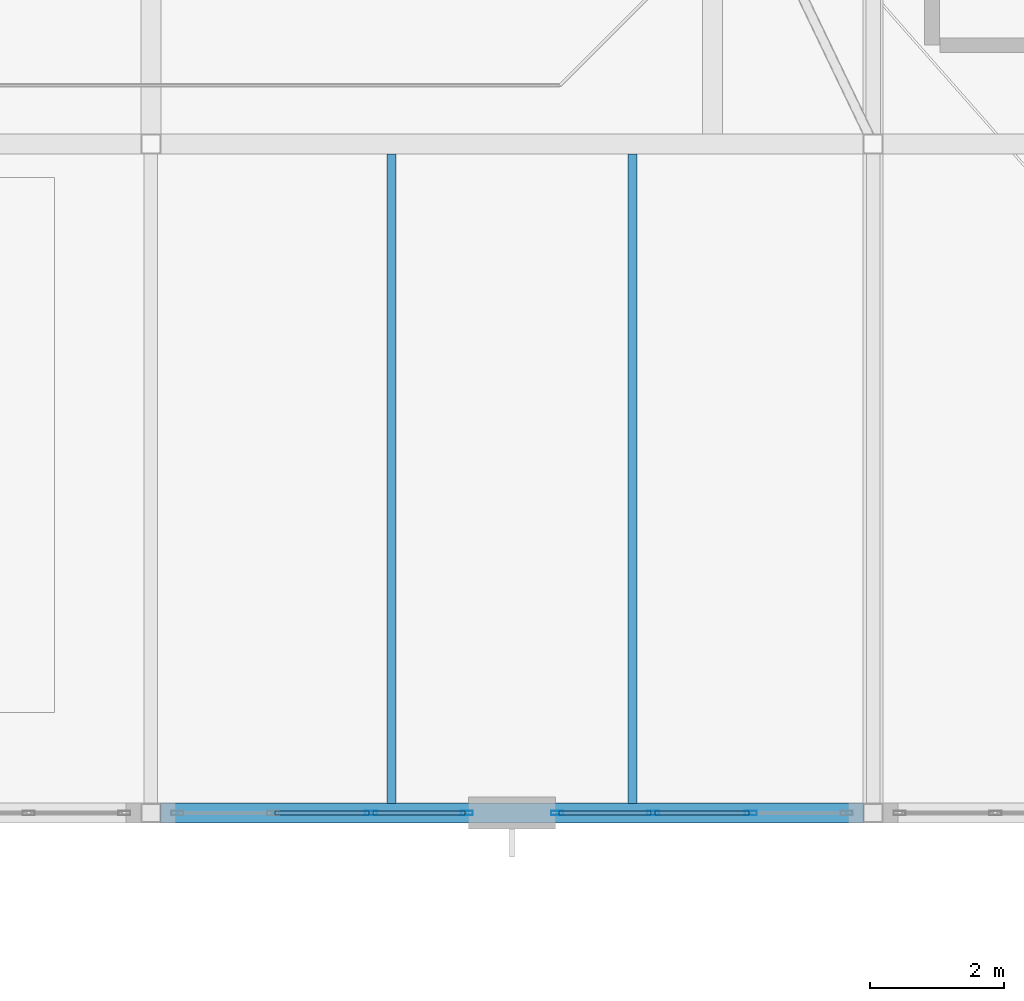
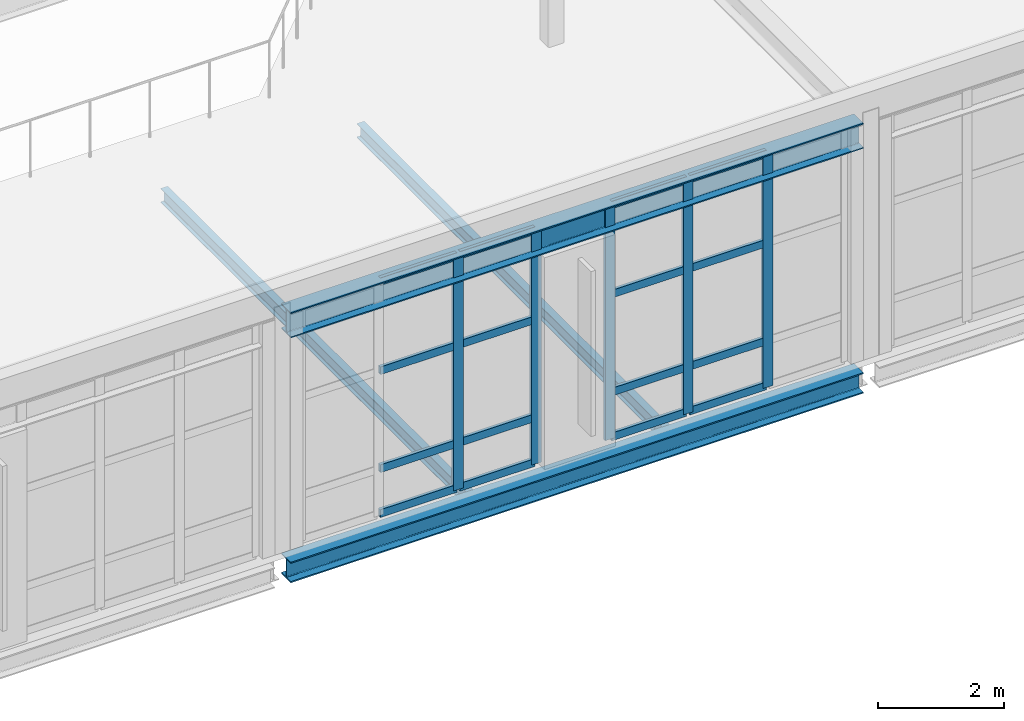
# One storey, part 27 of 86: 21 members, 4 beams, 2 elements without a shape of their own.
"""IFC4 building model written with IfcOpenShell, lengths in metres."""

from ifc_helpers import new_model, si_unit, direction, frame, origin, origin_2d, place, context, subcontext, project, spatial, hollow_rectangle, i_section, extrude, material, layer, layer_set, material_profile, profile_set, type_object, element, aggregate, save


model = new_model("IFC4")

# Units and contexts
model_context = context("Model", 3, precision=1e-05, world=origin(), true_north=direction((0.0, 1.0)))
body_context = subcontext(model_context, "Body", "Model", "MODEL_VIEW")
ifc_project = project(units=[si_unit("LENGTHUNIT", "METRE"), si_unit("AREAUNIT", "SQUARE_METRE"), si_unit("VOLUMEUNIT", "CUBIC_METRE"), si_unit("PLANEANGLEUNIT", "RADIAN"), si_unit("MASSUNIT", "GRAM", prefix="KILO")], contexts=[model_context])

# Site, building, storey
site_placement = place(None, origin())
site = spatial("IfcSite", under=ifc_project, at=site_placement, CompositionType="ELEMENT")
building_placement = place(site_placement, origin())
building = spatial("IfcBuilding", under=site, at=building_placement, Name="Tasgan Crest Museum", CompositionType="ELEMENT")
storey_placement = place(building_placement, frame((0.0, 0.0, 24.0)))
storey = spatial("IfcBuildingStorey", under=building, at=storey_placement, Name="L04", CompositionType="ELEMENT", Elevation=24.0)

# Beams
ifc_material_1 = material(Name="Steel S355J2", Category="steel")
ifc_material_profile_1 = material_profile(ifc_material_1, i_section(OverallWidth=0.300048828125, OverallDepth=0.489990234375, WebThickness=0.011962890625, FlangeThickness=0.02294921875, FilletRadius=0.027099609375, at=origin_2d()), Name="HEA 500")
ifc_profile_set_1 = profile_set([ifc_material_profile_1], Name="Steel S355J2")
beam_type_1 = type_object("IfcBeamType", Name="BM-G-HEA500", PredefinedType="BEAM", material=ifc_profile_set_1)
beam_1_placement = place(storey_placement, frame((86.5458984375, 40.0, 4.35498046875), z_axis=(1.0, 0.0, 0.0), x_axis=(0.0, 1.0, 0.0)))
element("IfcBeam", 1, at=beam_1_placement, inside=storey, type_object=beam_type_1, Name="Winter-garden roof girder E 86.4-97.2", PredefinedType="BEAM", context=body_context, shape_type="SweptSolid", body=[
    extrude(i_section(OverallWidth=0.300048828125, OverallDepth=0.489990234375, WebThickness=0.011962890625, FlangeThickness=0.02294921875, FilletRadius=0.027099609375, at=origin_2d()), origin(), (0.0, 0.0, 1.0), 10.508056640625),
])
ifc_material_2 = material(Name="Steel S355J2", Category="steel")
ifc_material_profile_2 = material_profile(ifc_material_2, i_section(OverallWidth=0.300048828125, OverallDepth=0.39990234375, WebThickness=0.013427734375, FlangeThickness=0.02392578125, FilletRadius=0.027099609375, at=origin_2d()), Name="HEB 400")
ifc_profile_set_2 = profile_set([ifc_material_profile_2], Name="Steel S355J2")
beam_type_2 = type_object("IfcBeamType", Name="BM-G-HEB400", PredefinedType="BEAM", material=ifc_profile_set_2)
beam_2_placement = place(storey_placement, frame((86.5458984375, 40.0, -0.43994140625), z_axis=(1.0, 0.0, 0.0), x_axis=(0.0, 1.0, 0.0)))
element("IfcBeam", 2, at=beam_2_placement, inside=storey, type_object=beam_type_2, Name="Girder L04 E 86.4-97.2", PredefinedType="BEAM", context=body_context, shape_type="SweptSolid", body=[
    extrude(i_section(OverallWidth=0.300048828125, OverallDepth=0.39990234375, WebThickness=0.013427734375, FlangeThickness=0.02392578125, FilletRadius=0.027099609375, at=origin_2d()), origin(), (0.0, 0.0, 1.0), 10.508056640625),
])
ifc_material_3 = material(Name="Steel S355J2", Category="steel")
ifc_material_profile_3 = material_profile(ifc_material_3, i_section(OverallWidth=0.135009765625, OverallDepth=0.27001953125, WebThickness=0.006591796875, FlangeThickness=0.01025390625, FilletRadius=0.014892578125, at=origin_2d()), Name="IPE 270")
ifc_profile_set_3 = profile_set([ifc_material_profile_3], Name="Steel S355J2")
beam_type_3 = type_object("IfcBeamType", Name="BM-J-IPE270", PredefinedType="JOIST", material=ifc_profile_set_3)
for number, where, z_axis, x_axis, name in (
    (3, (90.0, 40.14501953125, -0.375), (0.0, 1.0, 0.0), (-1.0, 0.0, 0.0), "Secondary joist L04 X=90.0 Y=40.0-50.0"),
    (4, (93.60009765625, 40.14501953125, -0.375), (0.0, 1.0, 0.0), (-1.0, 0.0, 0.0), "Secondary joist L04 X=93.6 Y=40.0-50.0"),
):
    element("IfcBeam", number, at=place(storey_placement, frame(where, z_axis=z_axis, x_axis=x_axis)), inside=storey, type_object=beam_type_3, Name=name, PredefinedType="JOIST", context=body_context, shape_type="SweptSolid", body=[
        extrude(i_section(OverallWidth=0.135009765625, OverallDepth=0.27001953125, WebThickness=0.006591796875, FlangeThickness=0.01025390625, FilletRadius=0.014892578125, at=origin_2d()), origin(), (0.0, 0.0, 1.0), 9.7099609375),
    ])

# Curtain wall, members
ifc_material_4 = material(Name="Triple-Glazed Aluminium Curtain Wall", Category="aluminium")
ifc_layer = layer(ifc_material_4, 0.179931640625, Name="CW-DRUM-X-48")
ifc_layer_set = layer_set([ifc_layer], Name="Triple-Glazed Aluminium Curtain Wall")
curtain_wall_type = type_object("IfcCurtainWallType", Name="CW-DRUM-X-48", PredefinedType="NOTDEFINED", material=ifc_layer_set)
curtain_wall_1_placement = place(storey_placement, origin())
curtain_wall_1 = element("IfcCurtainWall", 5, at=curtain_wall_1_placement, inside=storey, type_object=curtain_wall_type, Name="Curtain wall L04 191", PredefinedType="NOTDEFINED")
ifc_material_5 = material(Name="Anodised Aluminium", Category="aluminium")
ifc_material_profile_4 = material_profile(ifc_material_5, hollow_rectangle(XDim=0.06494140625, YDim=0.179931640625, WallThickness=0.0048828125, at=origin_2d()), Name="ALU MULLION 180x65x5")
ifc_profile_set_4 = profile_set([ifc_material_profile_4], Name="Anodised Aluminium")
member_type_1 = type_object("IfcMemberType", Name="CW-MULLION-180", PredefinedType="MULLION", material=ifc_profile_set_4)
member_1_placement = place(storey_placement, frame((89.691650390625, 40.0, 0.0), z_axis=(0.0, 0.0, 1.0), x_axis=(0.0, 1.0, 0.0)))
member_1 = element("IfcMember", 6, at=member_1_placement, type_object=member_type_1, Name="CW03 mullion 3", PredefinedType="MULLION", context=body_context, shape_type="SweptSolid", body=[
    extrude(hollow_rectangle(XDim=0.06494140625, YDim=0.179931640625, WallThickness=0.0048828125, at=origin_2d()), origin(), (0.0, 0.0, 1.0), 4.56005859375),
])
member_2_placement = place(storey_placement, frame((91.125, 40.0, 0.0), z_axis=(0.0, 0.0, 1.0), x_axis=(0.0, 1.0, 0.0)))
member_2 = element("IfcMember", 7, at=member_2_placement, type_object=member_type_1, Name="CW03 mullion 4", PredefinedType="MULLION", context=body_context, shape_type="SweptSolid", body=[
    extrude(hollow_rectangle(XDim=0.06494140625, YDim=0.179931640625, WallThickness=0.0048828125, at=origin_2d()), origin(), (0.0, 0.0, 1.0), 4.56005859375),
])

curtain_wall_2_placement = place(storey_placement, origin())
curtain_wall_2 = element("IfcCurtainWall", 8, at=curtain_wall_2_placement, inside=storey, type_object=curtain_wall_type, Name="Curtain wall L04 192", PredefinedType="NOTDEFINED")
member_3_placement = place(storey_placement, frame((92.47509765625, 40.0, 0.0), z_axis=(0.0, 0.0, 1.0), x_axis=(0.0, 1.0, 0.0)))
member_3 = element("IfcMember", 9, at=member_3_placement, type_object=member_type_1, Name="CW03 mullion 1", PredefinedType="MULLION", context=body_context, shape_type="SweptSolid", body=[
    extrude(hollow_rectangle(XDim=0.06494140625, YDim=0.179931640625, WallThickness=0.0048828125, at=origin_2d()), origin(), (0.0, 0.0, 1.0), 4.56005859375),
])
member_4_placement = place(storey_placement, frame((93.908447265625, 40.0, 0.0), z_axis=(0.0, 0.0, 1.0), x_axis=(0.0, 1.0, 0.0)))
member_4 = element("IfcMember", 10, at=member_4_placement, type_object=member_type_1, Name="CW03 mullion 2", PredefinedType="MULLION", context=body_context, shape_type="SweptSolid", body=[
    extrude(hollow_rectangle(XDim=0.06494140625, YDim=0.179931640625, WallThickness=0.0048828125, at=origin_2d()), origin(), (0.0, 0.0, 1.0), 4.56005859375),
])
member_5_placement = place(storey_placement, frame((95.37158203125, 40.0, 0.0), z_axis=(0.0, 0.0, 1.0), x_axis=(0.0, 1.0, 0.0)))
member_5 = element("IfcMember", 11, at=member_5_placement, type_object=member_type_1, Name="CW03 mullion 3", PredefinedType="MULLION", context=body_context, shape_type="SweptSolid", body=[
    extrude(hollow_rectangle(XDim=0.06494140625, YDim=0.179931640625, WallThickness=0.0048828125, at=origin_2d()), origin(), (0.0, 0.0, 1.0), 4.56005859375),
])

# Member
ifc_material_6 = material(Name="Anodised Aluminium", Category="aluminium")
ifc_material_profile_5 = material_profile(ifc_material_6, hollow_rectangle(XDim=0.06005859375, YDim=0.14990234375, WallThickness=0.0048828125, at=origin_2d()), Name="ALU TRANSOM 150x60x5")
ifc_profile_set_5 = profile_set([ifc_material_profile_5], Name="Anodised Aluminium")
member_type_2 = type_object("IfcMemberType", Name="CW-TRANSOM-150", PredefinedType="USERDEFINED", material=ifc_profile_set_5)
member_6_placement = place(storey_placement, frame((88.25830078125, 40.0, 0.030029296875), z_axis=(1.0, 0.0, 0.0), x_axis=(0.0, 1.0, 0.0)))
member_6 = element("IfcMember", 12, at=member_6_placement, type_object=member_type_2, Name="CW03 transom 2.1", ObjectType="TRANSOM", PredefinedType="USERDEFINED", context=body_context, shape_type="SweptSolid", body=[
    extrude(hollow_rectangle(XDim=0.06005859375, YDim=0.14990234375, WallThickness=0.0048828125, at=origin_2d()), origin(), (0.0, 0.0, 1.0), 1.4033203125),
])

member_7_placement = place(storey_placement, frame((88.25830078125, 40.0, 0.89990234375), z_axis=(1.0, 0.0, 0.0), x_axis=(0.0, 1.0, 0.0)))
member_7 = element("IfcMember", 13, at=member_7_placement, type_object=member_type_2, Name="CW03 transom 2.2", ObjectType="TRANSOM", PredefinedType="USERDEFINED", context=body_context, shape_type="SweptSolid", body=[
    extrude(hollow_rectangle(XDim=0.06005859375, YDim=0.14990234375, WallThickness=0.0048828125, at=origin_2d()), origin(), (0.0, 0.0, 1.0), 1.4033203125),
])

member_8_placement = place(storey_placement, frame((88.25830078125, 40.0, 2.800048828125), z_axis=(1.0, 0.0, 0.0), x_axis=(0.0, 1.0, 0.0)))
member_8 = element("IfcMember", 14, at=member_8_placement, type_object=member_type_2, Name="CW03 transom 2.3", ObjectType="TRANSOM", PredefinedType="USERDEFINED", context=body_context, shape_type="SweptSolid", body=[
    extrude(hollow_rectangle(XDim=0.06005859375, YDim=0.14990234375, WallThickness=0.0048828125, at=origin_2d()), origin(), (0.0, 0.0, 1.0), 1.4033203125),
])

member_9_placement = place(storey_placement, frame((88.25830078125, 40.0, 4.530029296875), z_axis=(1.0, 0.0, 0.0), x_axis=(0.0, 1.0, 0.0)))
member_9 = element("IfcMember", 15, at=member_9_placement, type_object=member_type_2, Name="CW03 transom 2.4", ObjectType="TRANSOM", PredefinedType="USERDEFINED", context=body_context, shape_type="SweptSolid", body=[
    extrude(hollow_rectangle(XDim=0.06005859375, YDim=0.14990234375, WallThickness=0.0048828125, at=origin_2d()), origin(), (0.0, 0.0, 1.0), 1.4033203125),
])

member_10_placement = place(storey_placement, frame((89.7216796875, 40.0, 0.030029296875), z_axis=(1.0, 0.0, 0.0), x_axis=(0.0, 1.0, 0.0)))
member_10 = element("IfcMember", 16, at=member_10_placement, type_object=member_type_2, Name="CW03 transom 3.1", ObjectType="TRANSOM", PredefinedType="USERDEFINED", context=body_context, shape_type="SweptSolid", body=[
    extrude(hollow_rectangle(XDim=0.06005859375, YDim=0.14990234375, WallThickness=0.0048828125, at=origin_2d()), origin(), (0.0, 0.0, 1.0), 1.373291015625),
])

member_11_placement = place(storey_placement, frame((89.7216796875, 40.0, 0.89990234375), z_axis=(1.0, 0.0, 0.0), x_axis=(0.0, 1.0, 0.0)))
member_11 = element("IfcMember", 17, at=member_11_placement, type_object=member_type_2, Name="CW03 transom 3.2", ObjectType="TRANSOM", PredefinedType="USERDEFINED", context=body_context, shape_type="SweptSolid", body=[
    extrude(hollow_rectangle(XDim=0.06005859375, YDim=0.14990234375, WallThickness=0.0048828125, at=origin_2d()), origin(), (0.0, 0.0, 1.0), 1.373291015625),
])

member_12_placement = place(storey_placement, frame((89.7216796875, 40.0, 2.800048828125), z_axis=(1.0, 0.0, 0.0), x_axis=(0.0, 1.0, 0.0)))
member_12 = element("IfcMember", 18, at=member_12_placement, type_object=member_type_2, Name="CW03 transom 3.3", ObjectType="TRANSOM", PredefinedType="USERDEFINED", context=body_context, shape_type="SweptSolid", body=[
    extrude(hollow_rectangle(XDim=0.06005859375, YDim=0.14990234375, WallThickness=0.0048828125, at=origin_2d()), origin(), (0.0, 0.0, 1.0), 1.373291015625),
])

member_13_placement = place(storey_placement, frame((89.7216796875, 40.0, 4.530029296875), z_axis=(1.0, 0.0, 0.0), x_axis=(0.0, 1.0, 0.0)))
member_13 = element("IfcMember", 19, at=member_13_placement, type_object=member_type_2, Name="CW03 transom 3.4", ObjectType="TRANSOM", PredefinedType="USERDEFINED", context=body_context, shape_type="SweptSolid", body=[
    extrude(hollow_rectangle(XDim=0.06005859375, YDim=0.14990234375, WallThickness=0.0048828125, at=origin_2d()), origin(), (0.0, 0.0, 1.0), 1.373291015625),
])

aggregate(curtain_wall_1, [member_1, member_2, member_6, member_7, member_8, member_9, member_10, member_11, member_12, member_13])

member_14_placement = place(storey_placement, frame((92.5048828125, 40.0, 0.030029296875), z_axis=(1.0, 0.0, 0.0), x_axis=(0.0, 1.0, 0.0)))
member_14 = element("IfcMember", 20, at=member_14_placement, type_object=member_type_2, Name="CW03 transom 1.1", ObjectType="TRANSOM", PredefinedType="USERDEFINED", context=body_context, shape_type="SweptSolid", body=[
    extrude(hollow_rectangle(XDim=0.06005859375, YDim=0.14990234375, WallThickness=0.0048828125, at=origin_2d()), origin(), (0.0, 0.0, 1.0), 1.37353515625),
])

member_15_placement = place(storey_placement, frame((92.5048828125, 40.0, 0.89990234375), z_axis=(1.0, 0.0, 0.0), x_axis=(0.0, 1.0, 0.0)))
member_15 = element("IfcMember", 21, at=member_15_placement, type_object=member_type_2, Name="CW03 transom 1.2", ObjectType="TRANSOM", PredefinedType="USERDEFINED", context=body_context, shape_type="SweptSolid", body=[
    extrude(hollow_rectangle(XDim=0.06005859375, YDim=0.14990234375, WallThickness=0.0048828125, at=origin_2d()), origin(), (0.0, 0.0, 1.0), 1.37353515625),
])

member_16_placement = place(storey_placement, frame((92.5048828125, 40.0, 2.800048828125), z_axis=(1.0, 0.0, 0.0), x_axis=(0.0, 1.0, 0.0)))
member_16 = element("IfcMember", 22, at=member_16_placement, type_object=member_type_2, Name="CW03 transom 1.3", ObjectType="TRANSOM", PredefinedType="USERDEFINED", context=body_context, shape_type="SweptSolid", body=[
    extrude(hollow_rectangle(XDim=0.06005859375, YDim=0.14990234375, WallThickness=0.0048828125, at=origin_2d()), origin(), (0.0, 0.0, 1.0), 1.37353515625),
])

member_17_placement = place(storey_placement, frame((92.5048828125, 40.0, 4.530029296875), z_axis=(1.0, 0.0, 0.0), x_axis=(0.0, 1.0, 0.0)))
member_17 = element("IfcMember", 23, at=member_17_placement, type_object=member_type_2, Name="CW03 transom 1.4", ObjectType="TRANSOM", PredefinedType="USERDEFINED", context=body_context, shape_type="SweptSolid", body=[
    extrude(hollow_rectangle(XDim=0.06005859375, YDim=0.14990234375, WallThickness=0.0048828125, at=origin_2d()), origin(), (0.0, 0.0, 1.0), 1.37353515625),
])

member_18_placement = place(storey_placement, frame((93.938232421875, 40.0, 0.030029296875), z_axis=(1.0, 0.0, 0.0), x_axis=(0.0, 1.0, 0.0)))
member_18 = element("IfcMember", 24, at=member_18_placement, type_object=member_type_2, Name="CW03 transom 2.1", ObjectType="TRANSOM", PredefinedType="USERDEFINED", context=body_context, shape_type="SweptSolid", body=[
    extrude(hollow_rectangle(XDim=0.06005859375, YDim=0.14990234375, WallThickness=0.0048828125, at=origin_2d()), origin(), (0.0, 0.0, 1.0), 1.4033203125),
])

member_19_placement = place(storey_placement, frame((93.938232421875, 40.0, 0.89990234375), z_axis=(1.0, 0.0, 0.0), x_axis=(0.0, 1.0, 0.0)))
member_19 = element("IfcMember", 25, at=member_19_placement, type_object=member_type_2, Name="CW03 transom 2.2", ObjectType="TRANSOM", PredefinedType="USERDEFINED", context=body_context, shape_type="SweptSolid", body=[
    extrude(hollow_rectangle(XDim=0.06005859375, YDim=0.14990234375, WallThickness=0.0048828125, at=origin_2d()), origin(), (0.0, 0.0, 1.0), 1.4033203125),
])

member_20_placement = place(storey_placement, frame((93.938232421875, 40.0, 2.800048828125), z_axis=(1.0, 0.0, 0.0), x_axis=(0.0, 1.0, 0.0)))
member_20 = element("IfcMember", 26, at=member_20_placement, type_object=member_type_2, Name="CW03 transom 2.3", ObjectType="TRANSOM", PredefinedType="USERDEFINED", context=body_context, shape_type="SweptSolid", body=[
    extrude(hollow_rectangle(XDim=0.06005859375, YDim=0.14990234375, WallThickness=0.0048828125, at=origin_2d()), origin(), (0.0, 0.0, 1.0), 1.4033203125),
])

member_21_placement = place(storey_placement, frame((93.938232421875, 40.0, 4.530029296875), z_axis=(1.0, 0.0, 0.0), x_axis=(0.0, 1.0, 0.0)))
member_21 = element("IfcMember", 27, at=member_21_placement, type_object=member_type_2, Name="CW03 transom 2.4", ObjectType="TRANSOM", PredefinedType="USERDEFINED", context=body_context, shape_type="SweptSolid", body=[
    extrude(hollow_rectangle(XDim=0.06005859375, YDim=0.14990234375, WallThickness=0.0048828125, at=origin_2d()), origin(), (0.0, 0.0, 1.0), 1.4033203125),
])

aggregate(curtain_wall_2, [member_3, member_4, member_5, member_14, member_15, member_16, member_17, member_18, member_19, member_20, member_21])

save(model, "model.ifc")
